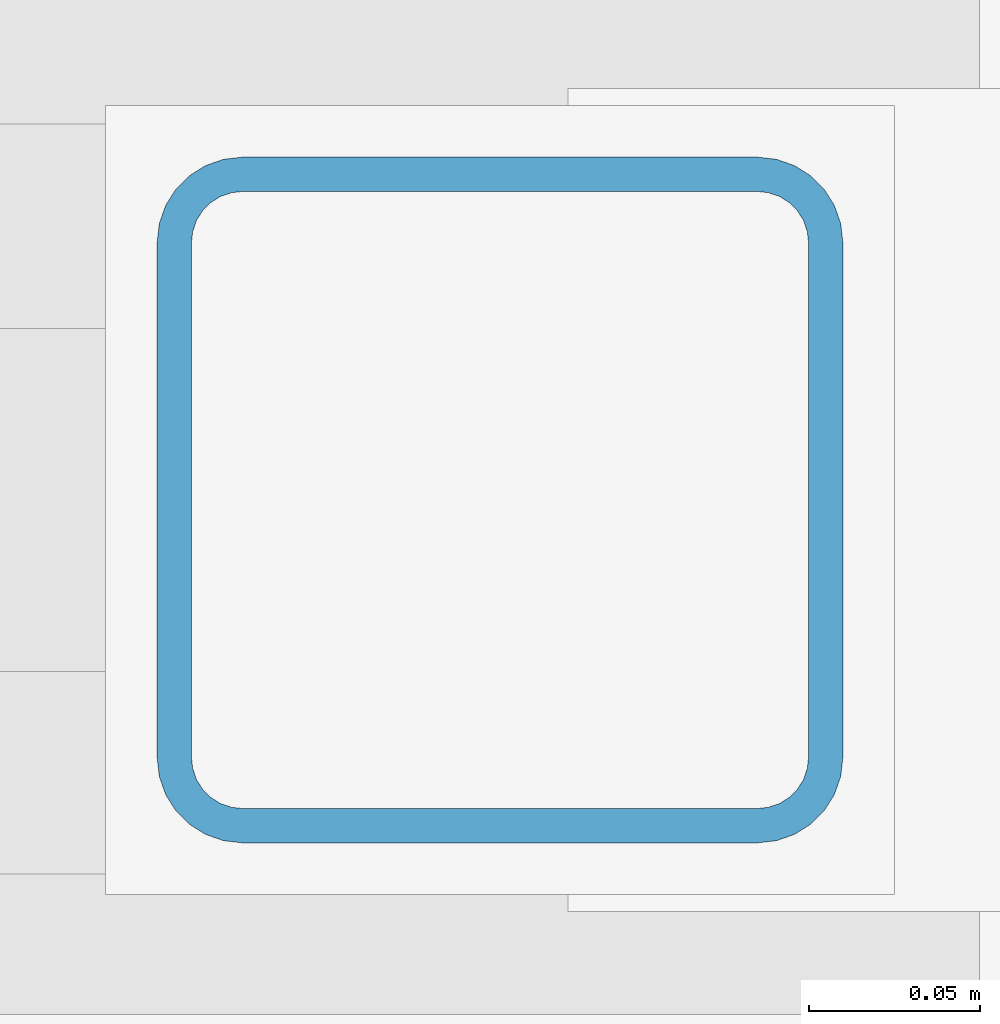
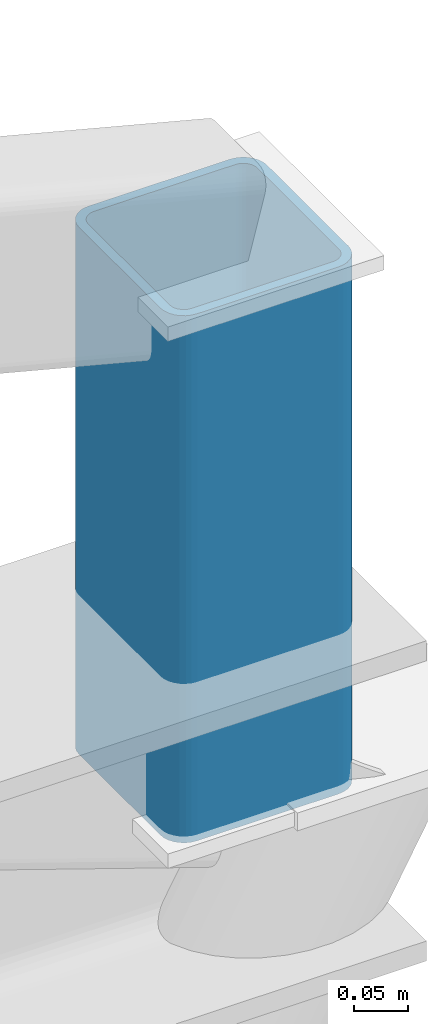
# One storey, part 41 of 56: 1 member.
"""IFC4 building model written with IfcOpenShell, lengths in metres."""

from ifc_helpers import new_model, si_unit, direction, frame, origin, origin_2d, place, context, subcontext, project, spatial, hollow_rectangle, extrude, material, material_profile, profile_set, type_object, element, save


model = new_model("IFC4")

# Units and contexts
model_context = context("Model", 3, precision=1e-05, world=origin(), true_north=direction((0.0, 1.0)))
body_context = subcontext(model_context, "Body", "Model", "MODEL_VIEW")
ifc_project = project(units=[si_unit("LENGTHUNIT", "METRE"), si_unit("AREAUNIT", "SQUARE_METRE"), si_unit("VOLUMEUNIT", "CUBIC_METRE"), si_unit("PLANEANGLEUNIT", "RADIAN"), si_unit("MASSUNIT", "GRAM", prefix="KILO")], contexts=[model_context])

# Site, building, storey
site_placement = place(None, origin())
site = spatial("IfcSite", under=ifc_project, at=site_placement, CompositionType="ELEMENT")
building_placement = place(site_placement, origin())
building = spatial("IfcBuilding", under=site, at=building_placement, Name="Bozkorgan Art Gallery", CompositionType="ELEMENT")
storey_placement = place(building_placement, frame((0.0, 0.0, 24.0)))
storey = spatial("IfcBuildingStorey", under=building, at=storey_placement, Name="L05", CompositionType="ELEMENT", Elevation=24.0)

# Member
ifc_material = material(Name="Steel S355J2", Category="steel")
ifc_material_profile = material_profile(ifc_material, hollow_rectangle(XDim=0.199951171875, YDim=0.199951171875, WallThickness=0.010009765625, InnerFilletRadius=0.014892578125, OuterFilletRadius=0.02490234375, at=origin_2d()), Name="SHS 200x200x10")
ifc_profile_set = profile_set([ifc_material_profile], Name="Steel S355J2")
member_type = type_object("IfcMemberType", Name="MEMBER-TP-32", PredefinedType="POST", material=ifc_profile_set)
member_placement = place(storey_placement, frame((108.60009765625, 56.800048828125, 0.179931640625), z_axis=(0.0, 0.0, 1.0), x_axis=(1.0, 0.0, 0.0)))
element("IfcMember", 1, at=member_placement, inside=storey, type_object=member_type, Name="ROOF-V4-MAIN roof truss 2 post 6", PredefinedType="POST", context=body_context, shape_type="SweptSolid", body=[
    extrude(hollow_rectangle(XDim=0.199951171875, YDim=0.199951171875, WallThickness=0.010009765625, InnerFilletRadius=0.014892578125, OuterFilletRadius=0.02490234375, at=origin_2d()), origin(), (0.0, 0.0, 1.0), 0.5927734375),
])

save(model, "model.ifc")
